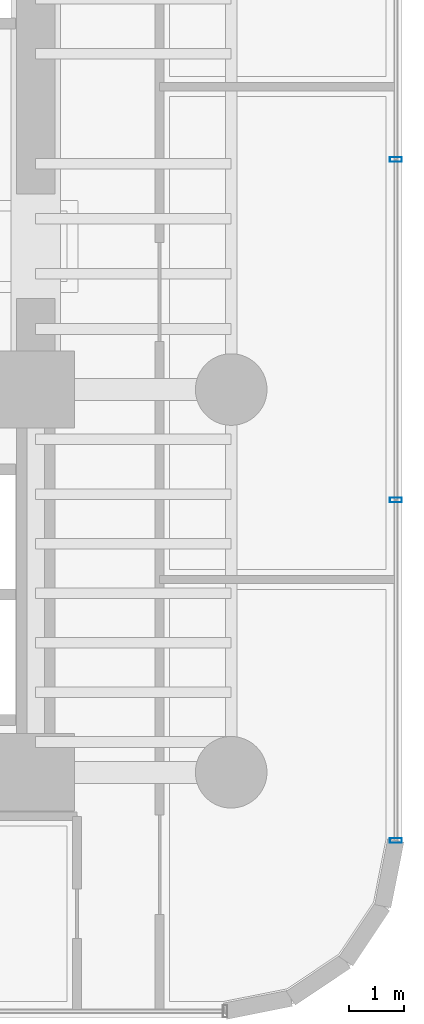
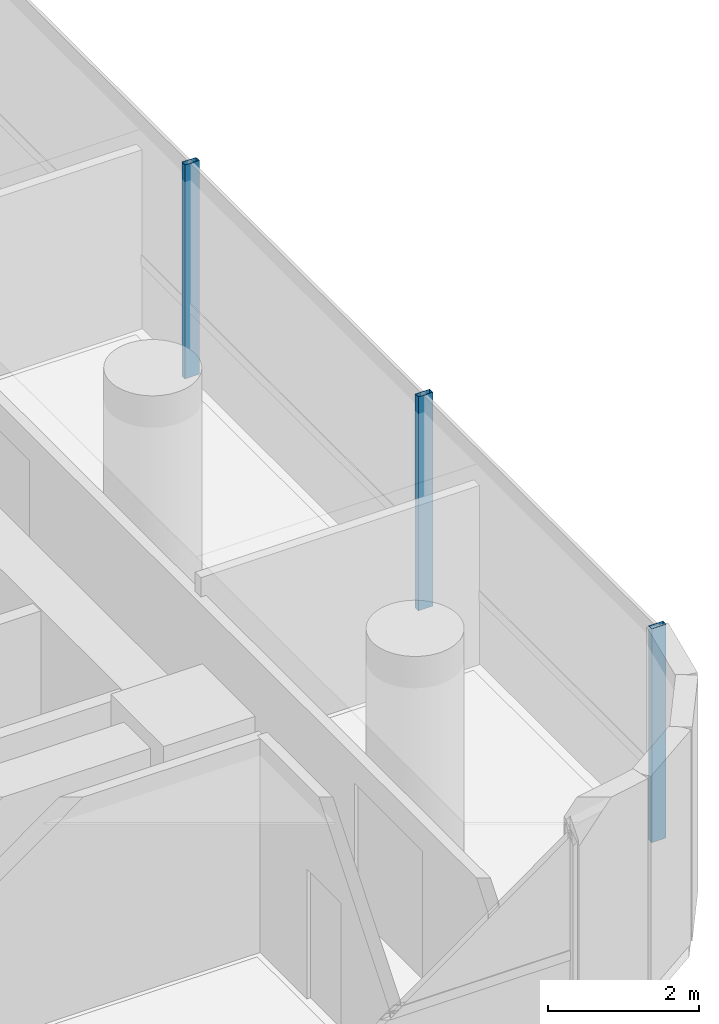
# One storey, part 24 of 39: 3 members, 1 element without a shape of its own.
"""IFC4 building model written with IfcOpenShell, lengths in metres."""

from ifc_helpers import new_model, si_unit, direction, frame, origin, origin_2d, place, context, subcontext, project, spatial, hollow_rectangle, extrude, source, transform, mapped, material, material_profile, profile_set, type_object, element, aggregate, save


model = new_model("IFC4")

# Units and contexts
model_context = context("Model", 3, precision=1e-05, world=origin(), true_north=direction((0.0, 1.0)))
body_context = subcontext(model_context, "Body", "Model", "MODEL_VIEW")
ifc_project = project(units=[si_unit("LENGTHUNIT", "METRE"), si_unit("AREAUNIT", "SQUARE_METRE"), si_unit("VOLUMEUNIT", "CUBIC_METRE"), si_unit("PLANEANGLEUNIT", "RADIAN"), si_unit("MASSUNIT", "GRAM", prefix="KILO")], contexts=[model_context])

# Site, building, storey
site_placement = place(None, origin())
site = spatial("IfcSite", under=ifc_project, at=site_placement, CompositionType="ELEMENT")
building_placement = place(site_placement, origin())
building = spatial("IfcBuilding", under=site, at=building_placement, Name="Valdorenza Pilgrim Sanctuary Tower", CompositionType="ELEMENT")
storey_placement = place(building_placement, frame((0.0, 0.0, 77.800048828125)))
storey = spatial("IfcBuildingStorey", under=building, at=storey_placement, Name="L19", CompositionType="ELEMENT", Elevation=77.800048828125)

# Curtain wall, members
ifc_material_1 = material(Name="Curtain-wall IGU glazing", Category="glass")
curtain_wall_type = type_object("IfcCurtainWallType", Name="CW-SYS-03", PredefinedType="NOTDEFINED", material=ifc_material_1)
curtain_wall_placement = place(storey_placement, origin())
curtain_wall = element("IfcCurtainWall", 1, at=curtain_wall_placement, inside=storey, type_object=curtain_wall_type, Name="L19 Curtain Wall CW-L19-1-21", PredefinedType="NOTDEFINED")
ifc_material_2 = material(Name="Anodised aluminium AW-6060", Category="aluminium")
ifc_material_profile = material_profile(ifc_material_2, hollow_rectangle(XDim=0.0849609375, YDim=0.219970703125, WallThickness=0.0048828125, at=origin_2d()), Name="ALU-M 220x85x5")
ifc_profile_set = profile_set([ifc_material_profile], Name="Anodised aluminium AW-6060")
member_type = type_object("IfcMemberType", Name="CW-MUL-03", PredefinedType="MULLION", material=ifc_profile_set)
shared_shape = source(origin(), body_context, "Body", "SweptSolid", [
    extrude(hollow_rectangle(XDim=0.0849609375, YDim=0.219970703125, WallThickness=0.0048828125, at=origin_2d()), origin(), (0.0, 0.0, 1.0), 3.4599609375),
])
member_1_placement = place(storey_placement, frame((31.389892578125, 1.577880859375, 0.0), z_axis=(0.0, 0.0, 1.0), x_axis=(0.0, -1.0, 0.0)))
member_1 = element("IfcMember", 2, at=member_1_placement, type_object=member_type, Name="CW-L19-1-21 Mullion 3", PredefinedType="MULLION", context=body_context, shape_type="MappedRepresentation", body=[
    mapped(shared_shape, transform((0.0, 0.0, 0.0), x_axis=(1.0, 0.0, 0.0), y_axis=(0.0, 1.0, 0.0), z_axis=(0.0, 0.0, 1.0), scale=1.0)),
])
member_2_placement = place(storey_placement, frame((31.389892578125, -4.605712890625, 0.0), z_axis=(0.0, 0.0, 1.0), x_axis=(0.0, -1.0, 0.0)))
member_2 = element("IfcMember", 3, at=member_2_placement, type_object=member_type, Name="CW-L19-1-21 Mullion 4", PredefinedType="MULLION", context=body_context, shape_type="MappedRepresentation", body=[
    mapped(shared_shape, transform((0.0, 0.0, 0.0), x_axis=(1.0, 0.0, 0.0), y_axis=(0.0, 1.0, 0.0), z_axis=(0.0, 0.0, 1.0), scale=1.0)),
])
member_3_placement = place(storey_placement, frame((31.389892578125, -10.789306640625, 0.0), z_axis=(0.0, 0.0, 1.0), x_axis=(0.0, -1.0, 0.0)))
member_3 = element("IfcMember", 4, at=member_3_placement, type_object=member_type, Name="CW-L19-1-21 Mullion 5", PredefinedType="MULLION", context=body_context, shape_type="MappedRepresentation", body=[
    mapped(shared_shape, transform((0.0, 0.0, 0.0), x_axis=(1.0, 0.0, 0.0), y_axis=(0.0, 1.0, 0.0), z_axis=(0.0, 0.0, 1.0), scale=1.0)),
])
aggregate(curtain_wall, [member_1, member_2, member_3])

save(model, "model.ifc")
